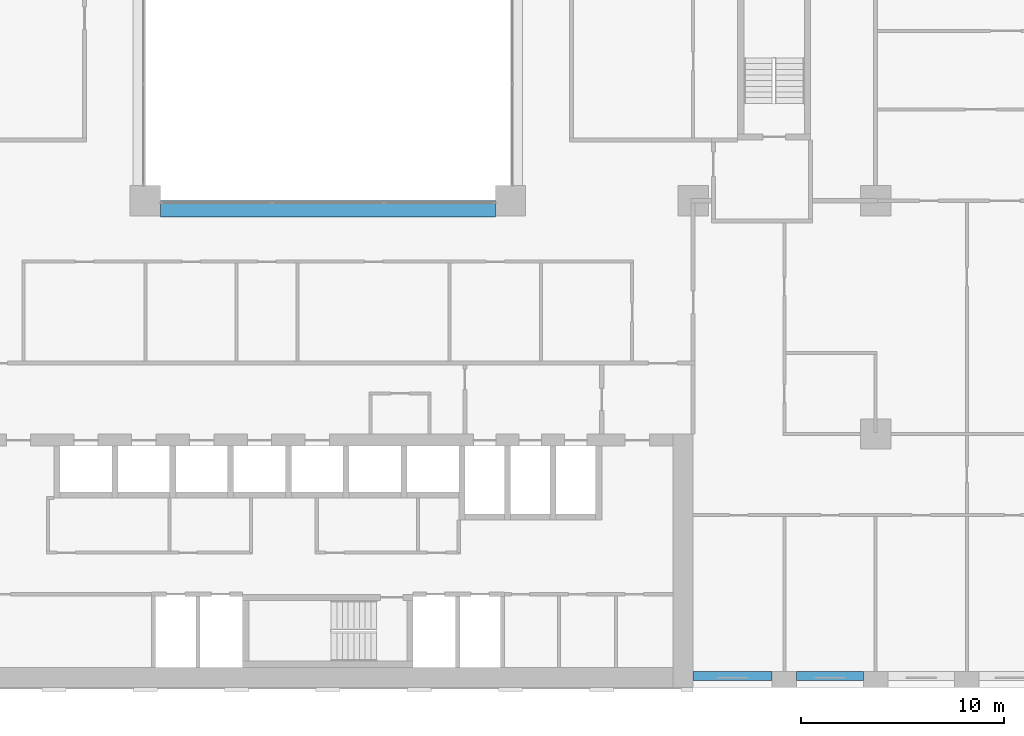
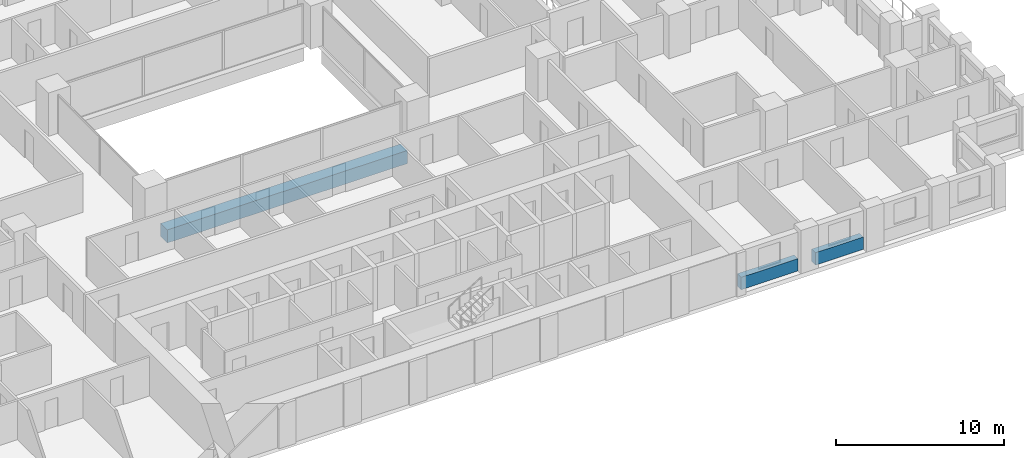
# One storey, part 3 of 20: 3 beams.
"""IFC4 building model written with IfcOpenShell, lengths in metres."""

from ifc_helpers import new_model, si_unit, direction, frame, origin, origin_2d, place, context, subcontext, project, spatial, rectangle, extrude, material, material_profile, profile_set, type_object, element, save


model = new_model("IFC4")

# Units and contexts
model_context = context("Model", 3, precision=1e-05, world=origin(), true_north=direction((0.0, 1.0)))
body_context = subcontext(model_context, "Body", "Model", "MODEL_VIEW")
ifc_project = project(units=[si_unit("LENGTHUNIT", "METRE"), si_unit("AREAUNIT", "SQUARE_METRE"), si_unit("VOLUMEUNIT", "CUBIC_METRE"), si_unit("PLANEANGLEUNIT", "RADIAN"), si_unit("MASSUNIT", "GRAM", prefix="KILO")], contexts=[model_context])

# Site, building, storey
site_placement = place(None, origin())
site = spatial("IfcSite", under=ifc_project, at=site_placement, CompositionType="ELEMENT")
building_placement = place(site_placement, origin())
building = spatial("IfcBuilding", under=site, at=building_placement, Name="Brigalow Station Residences", CompositionType="ELEMENT")
storey_placement = place(building_placement, frame((0.0, 0.0, 63.60009765625)))
storey = spatial("IfcBuildingStorey", under=building, at=storey_placement, Name="L18", CompositionType="ELEMENT", Elevation=63.60009765625)

# Beams
ifc_material_1 = material(Name="Concrete C65", Category="concrete")
ifc_material_profile_1 = material_profile(ifc_material_1, rectangle(XDim=0.800048828125, YDim=0.949951171875, at=origin_2d()), Name="RC800x950")
ifc_profile_set_1 = profile_set([ifc_material_profile_1], Name="Concrete C65")
beam_type_1 = type_object("IfcBeamType", Name="ATRIUM EDGE GIRDER OVER 13.5 M SPAN 800x950 C65", PredefinedType="BEAM", material=ifc_profile_set_1)
beam_1_placement = place(storey_placement, frame((27.75, 23.60009765625, -0.795166015625), z_axis=(1.0, 0.0, 0.0), x_axis=(0.0, 1.0, 0.0)))
element("IfcBeam", 1, at=beam_1_placement, inside=storey, type_object=beam_type_1, Name="ATRIUM EDGE GIRDER C L18", PredefinedType="BEAM", context=body_context, shape_type="SweptSolid", body=[
    extrude(rectangle(XDim=0.800048828125, YDim=0.949951171875, at=origin_2d()), origin(), (0.0, 0.0, 1.0), 16.5),
])
ifc_material_2 = material(Name="Concrete C65", Category="concrete")
ifc_material_profile_2 = material_profile(ifc_material_2, rectangle(XDim=0.449951171875, YDim=0.89990234375, at=origin_2d()), Name="RC450x900")
ifc_profile_set_2 = profile_set([ifc_material_profile_2], Name="Concrete C65")
beam_type_2 = type_object("IfcBeamType", Name="SPANDREL BEAM 450x900 C65", PredefinedType="SPANDREL", material=ifc_profile_set_2)
beam_2_placement = place(storey_placement, frame((54.0, 0.574951171875, 0.449951171875), z_axis=(1.0, 0.0, 0.0), x_axis=(0.0, 1.0, 0.0)))
element("IfcBeam", 2, at=beam_2_placement, inside=storey, type_object=beam_type_2, Name="L18/spandrel/W-L18-5", PredefinedType="SPANDREL", context=body_context, shape_type="SweptSolid", body=[
    extrude(rectangle(XDim=0.449951171875, YDim=0.89990234375, at=origin_2d()), origin(), (0.0, 0.0, 1.0), 3.89990234375),
])
beam_3_placement = place(storey_placement, frame((59.10009765625, 0.574951171875, 0.449951171875), z_axis=(1.0, 0.0, 0.0), x_axis=(0.0, 1.0, 0.0)))
element("IfcBeam", 3, at=beam_3_placement, inside=storey, type_object=beam_type_2, Name="L18/spandrel/W-L18-6", PredefinedType="SPANDREL", context=body_context, shape_type="SweptSolid", body=[
    extrude(rectangle(XDim=0.449951171875, YDim=0.89990234375, at=origin_2d()), origin(), (0.0, 0.0, 1.0), 3.2998046875),
])

save(model, "model.ifc")
